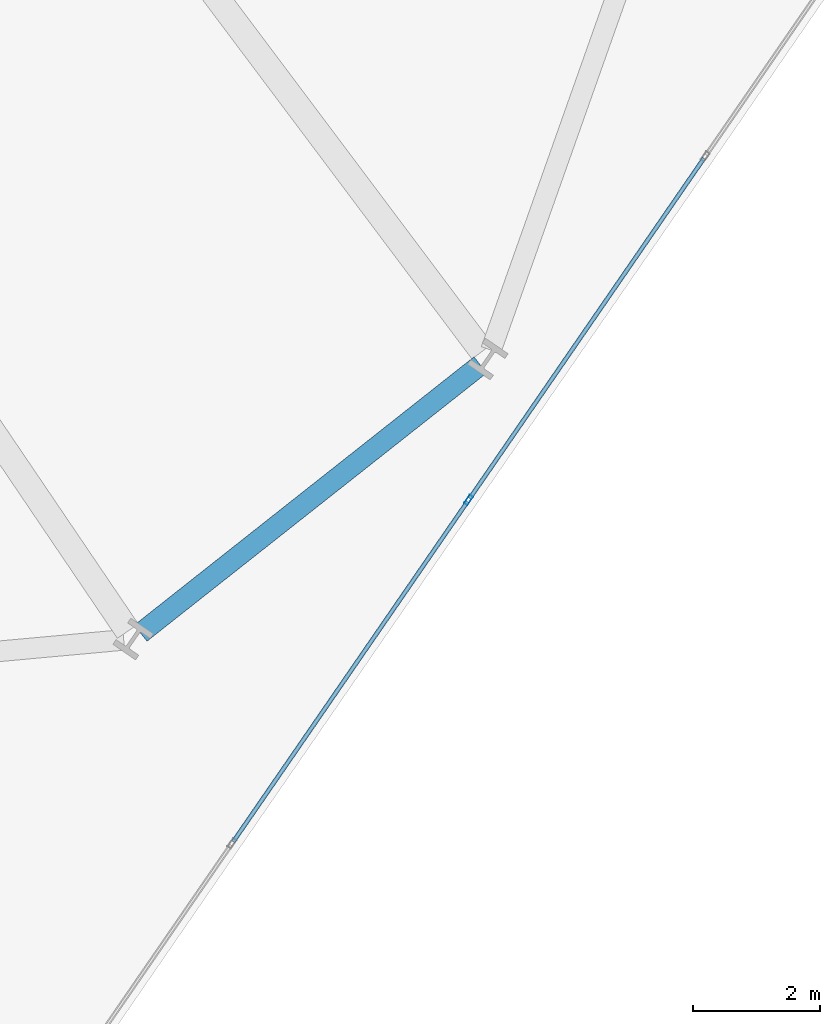
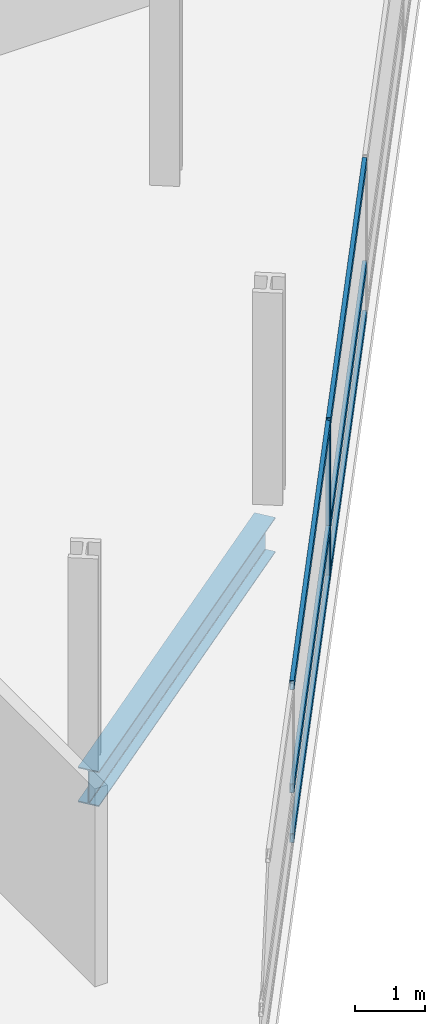
# One storey, part 7 of 25: 7 members, 1 beam, 1 element without a shape of its own.
"""IFC4 building model written with IfcOpenShell, lengths in metres."""

from ifc_helpers import new_model, si_unit, direction, frame, origin, origin_2d, place, context, subcontext, project, spatial, hollow_rectangle, i_section, extrude, material, layer, layer_set, material_profile, profile_set, type_object, element, aggregate, save


model = new_model("IFC4")

# Units and contexts
model_context = context("Model", 3, precision=1e-05, world=origin(), true_north=direction((0.0, 1.0)))
body_context = subcontext(model_context, "Body", "Model", "MODEL_VIEW")
ifc_project = project(units=[si_unit("LENGTHUNIT", "METRE"), si_unit("AREAUNIT", "SQUARE_METRE"), si_unit("VOLUMEUNIT", "CUBIC_METRE"), si_unit("PLANEANGLEUNIT", "RADIAN"), si_unit("MASSUNIT", "GRAM", prefix="KILO")], contexts=[model_context])

# Site, building, storey
site_placement = place(None, origin())
site = spatial("IfcSite", under=ifc_project, at=site_placement, CompositionType="ELEMENT")
building_placement = place(site_placement, origin())
building = spatial("IfcBuilding", under=site, at=building_placement, Name="Varnelok Gate Tower", CompositionType="ELEMENT")
storey_placement = place(building_placement, frame((0.0, 0.0, 52.89990234375)))
storey = spatial("IfcBuildingStorey", under=building, at=storey_placement, Name="L12", CompositionType="ELEMENT", Elevation=52.89990234375)

# Beam
ifc_material_1 = material(Name="Structural Steel ASTM A992 Grade 50", Category="steel")
ifc_material_profile_1 = material_profile(ifc_material_1, i_section(OverallWidth=0.323974609375, OverallDepth=0.611083984375, WebThickness=0.0126953125, FlangeThickness=0.01904296875, FilletRadius=0.01806640625, at=origin_2d()), Name="W24X104")
ifc_profile_set_1 = profile_set([ifc_material_profile_1], Name="Structural Steel ASTM A992 Grade 50")
beam_type = type_object("IfcBeamType", Name="BM-SPN-W24X104", PredefinedType="SPANDREL", material=ifc_profile_set_1)
beam_placement = place(storey_placement, frame((66.202392578125, 1.045654296875, -0.555419921875), z_axis=(0.784860761341, 0.619672159538, 0.0), x_axis=(-0.619672159538, 0.784860761341, 0.0)))
element("IfcBeam", 1, at=beam_placement, inside=storey, type_object=beam_type, Name="L12 Perimeter Spandrel Beam 6", PredefinedType="SPANDREL", context=body_context, shape_type="SweptSolid", body=[
    extrude(i_section(OverallWidth=0.323974609375, OverallDepth=0.611083984375, WebThickness=0.0126953125, FlangeThickness=0.01904296875, FilletRadius=0.01806640625, at=origin_2d()), origin(), (0.0, 0.0, 1.0), 6.81640625),
])

# Curtain wall, members
ifc_material_2 = material(Name="Anodized Aluminum Alloy 6063-T6", Category="aluminium")
ifc_layer = layer(ifc_material_2, 0.179931640625)
ifc_layer_set = layer_set([ifc_layer], Name="Anodized Aluminum Alloy 6063-T6")
curtain_wall_type = type_object("IfcCurtainWallType", Name="CW3-HOTEL-VISION", PredefinedType="USERDEFINED", material=ifc_layer_set)
curtain_wall_placement = place(storey_placement, origin())
curtain_wall = element("IfcCurtainWall", 2, at=curtain_wall_placement, inside=storey, type_object=curtain_wall_type, Name="L12 East End Vision Curtain Wall", ObjectType="UNITISED CURTAIN WALL", PredefinedType="USERDEFINED")
ifc_material_profile_2 = material_profile(ifc_material_2, hollow_rectangle(XDim=0.06494140625, YDim=0.159912109375, WallThickness=0.00390625, at=origin_2d()), Name="ALU160X65X4")
ifc_profile_set_2 = profile_set([ifc_material_profile_2], Name="Anodized Aluminum Alloy 6063-T6")
member_type_1 = type_object("IfcMemberType", Name="CW-MULL-160", PredefinedType="MULLION", material=ifc_profile_set_2)
member_1_placement = place(storey_placement, frame((71.3671875, 3.142578125, 0.0), z_axis=(0.0, 0.0, 1.0), x_axis=(0.823532685111, -0.567268822124, 0.0)))
member_1 = element("IfcMember", 3, at=member_1_placement, type_object=member_type_1, Name="CW3 mullion 4", PredefinedType="MULLION", context=body_context, shape_type="SweptSolid", body=[
    extrude(hollow_rectangle(XDim=0.06494140625, YDim=0.159912109375, WallThickness=0.00390625, at=origin_2d()), origin(), (0.0, 0.0, 1.0), 2.72998046875),
])
ifc_material_profile_3 = material_profile(ifc_material_2, hollow_rectangle(XDim=0.06494140625, YDim=0.159912109375, WallThickness=0.00390625, at=origin_2d()), Name="ALU160X65X4")
ifc_profile_set_3 = profile_set([ifc_material_profile_3], Name="Anodized Aluminum Alloy 6063-T6")
member_type_2 = type_object("IfcMemberType", Name="CW-TRAN-160", PredefinedType="USERDEFINED", material=ifc_profile_set_3)
member_2_placement = place(storey_placement, frame((75.07373046875, 8.523681640625, 0.03271484375), z_axis=(-0.56723619486, -0.82355515859, 0.0), x_axis=(0.82355515859, -0.56723619486, 0.0)))
member_2 = element("IfcMember", 4, at=member_2_placement, type_object=member_type_2, Name="CW3 transom 3.1", ObjectType="TRANSOM", PredefinedType="USERDEFINED", context=body_context, shape_type="SweptSolid", body=[
    extrude(hollow_rectangle(XDim=0.06494140625, YDim=0.159912109375, WallThickness=0.00390625, at=origin_2d()), origin(), (0.0, 0.0, 1.0), 6.501708984375),
])
member_3_placement = place(storey_placement, frame((75.07373046875, 8.523681640625, 0.900146484375), z_axis=(-0.56723619486, -0.82355515859, 0.0), x_axis=(0.82355515859, -0.56723619486, 0.0)))
member_3 = element("IfcMember", 5, at=member_3_placement, type_object=member_type_2, Name="CW3 transom 3.2", ObjectType="TRANSOM", PredefinedType="USERDEFINED", context=body_context, shape_type="SweptSolid", body=[
    extrude(hollow_rectangle(XDim=0.06494140625, YDim=0.159912109375, WallThickness=0.00390625, at=origin_2d()), origin(), (0.0, 0.0, 1.0), 6.501708984375),
])
member_4_placement = place(storey_placement, frame((75.07373046875, 8.523681640625, 2.697509765625), z_axis=(-0.56723619486, -0.82355515859, 0.0), x_axis=(0.82355515859, -0.56723619486, 0.0)))
member_4 = element("IfcMember", 6, at=member_4_placement, type_object=member_type_2, Name="CW3 transom 3.3", ObjectType="TRANSOM", PredefinedType="USERDEFINED", context=body_context, shape_type="SweptSolid", body=[
    extrude(hollow_rectangle(XDim=0.06494140625, YDim=0.159912109375, WallThickness=0.00390625, at=origin_2d()), origin(), (0.0, 0.0, 1.0), 6.501708984375),
])
member_5_placement = place(storey_placement, frame((71.348876953125, 3.11572265625, 0.03271484375), z_axis=(-0.567279204469, -0.823525533409, 0.0), x_axis=(0.823525533409, -0.567279204469, 0.0)))
member_5 = element("IfcMember", 7, at=member_5_placement, type_object=member_type_2, Name="CW3 transom 4.1", ObjectType="TRANSOM", PredefinedType="USERDEFINED", context=body_context, shape_type="SweptSolid", body=[
    extrude(hollow_rectangle(XDim=0.06494140625, YDim=0.159912109375, WallThickness=0.00390625, at=origin_2d()), origin(), (0.0, 0.0, 1.0), 6.501708984375),
])
member_6_placement = place(storey_placement, frame((71.348876953125, 3.11572265625, 0.900146484375), z_axis=(-0.567279204469, -0.823525533409, 0.0), x_axis=(0.823525533409, -0.567279204469, 0.0)))
member_6 = element("IfcMember", 8, at=member_6_placement, type_object=member_type_2, Name="CW3 transom 4.2", ObjectType="TRANSOM", PredefinedType="USERDEFINED", context=body_context, shape_type="SweptSolid", body=[
    extrude(hollow_rectangle(XDim=0.06494140625, YDim=0.159912109375, WallThickness=0.00390625, at=origin_2d()), origin(), (0.0, 0.0, 1.0), 6.501708984375),
])
member_7_placement = place(storey_placement, frame((71.348876953125, 3.11572265625, 2.697509765625), z_axis=(-0.567279204469, -0.823525533409, 0.0), x_axis=(0.823525533409, -0.567279204469, 0.0)))
member_7 = element("IfcMember", 9, at=member_7_placement, type_object=member_type_2, Name="CW3 transom 4.3", ObjectType="TRANSOM", PredefinedType="USERDEFINED", context=body_context, shape_type="SweptSolid", body=[
    extrude(hollow_rectangle(XDim=0.06494140625, YDim=0.159912109375, WallThickness=0.00390625, at=origin_2d()), origin(), (0.0, 0.0, 1.0), 6.501708984375),
])
aggregate(curtain_wall, [member_1, member_2, member_3, member_4, member_5, member_6, member_7])

save(model, "model.ifc")
